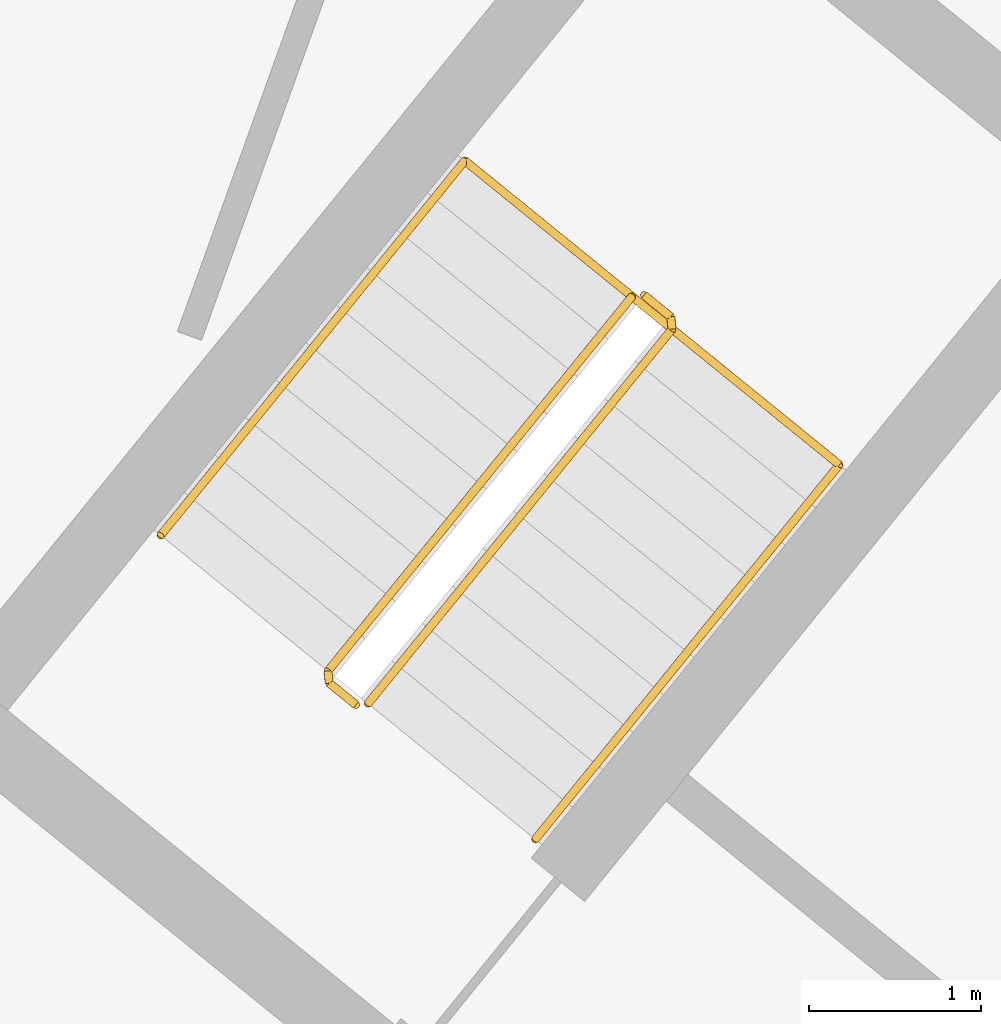
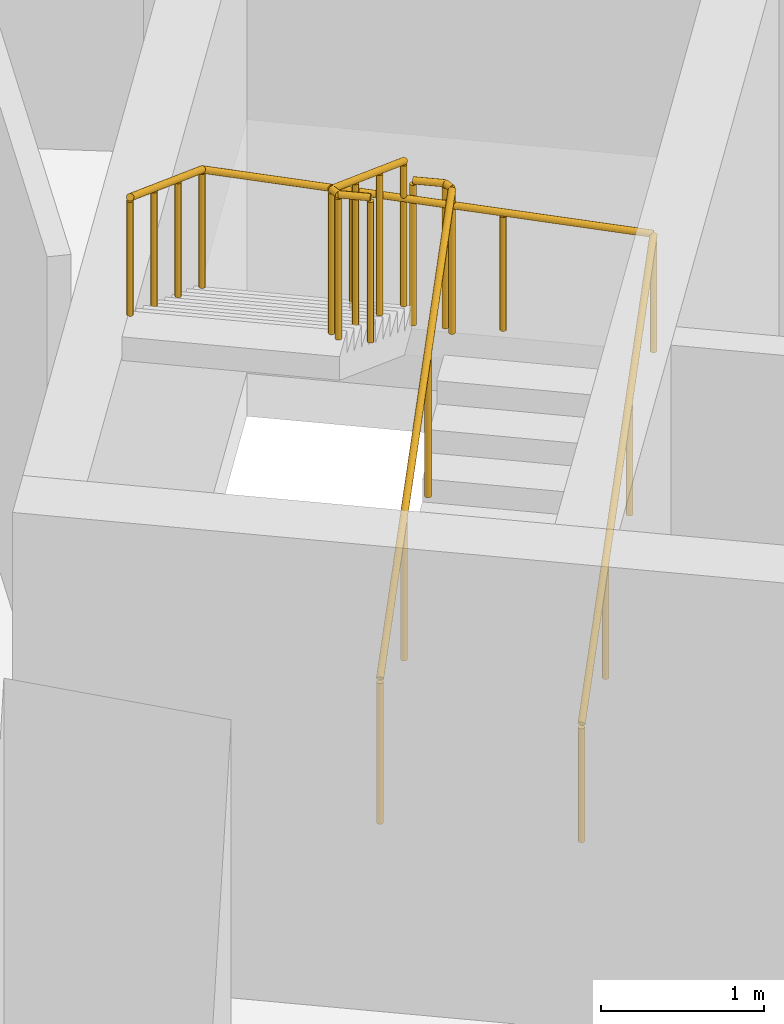
# One storey, part 25 of 25: 3 railings.
"""IFC4 building model written with IfcOpenShell, lengths in metres."""

from ifc_helpers import new_model, si_unit, direction, frame, origin, origin_2d, place, context, subcontext, project, spatial, circle, extrude, material, type_object, element, save


model = new_model("IFC4")

# Units and contexts
model_context = context("Model", 3, precision=1e-05, world=origin(), true_north=direction((0.0, 1.0)))
body_context = subcontext(model_context, "Body", "Model", "MODEL_VIEW")
ifc_project = project(units=[si_unit("LENGTHUNIT", "METRE"), si_unit("AREAUNIT", "SQUARE_METRE"), si_unit("VOLUMEUNIT", "CUBIC_METRE"), si_unit("PLANEANGLEUNIT", "RADIAN"), si_unit("MASSUNIT", "GRAM", prefix="KILO")], contexts=[model_context])

# Site, building, storey
site_placement = place(None, origin())
site = spatial("IfcSite", under=ifc_project, at=site_placement, CompositionType="ELEMENT")
building_placement = place(site_placement, origin())
building = spatial("IfcBuilding", under=site, at=building_placement, Name="Stone Belt Terrace Tower", CompositionType="ELEMENT")
storey_placement = place(building_placement, frame((0.0, 0.0, 52.800048828125)))
storey = spatial("IfcBuildingStorey", under=building, at=storey_placement, Name="L12", CompositionType="ELEMENT", Elevation=52.800048828125)

# Railings
ifc_material = material(Name="Structural steel C345", Category="steel")
railing_type_1 = type_object("IfcRailingType", Name="Stair guard 1100", PredefinedType="GUARDRAIL", material=ifc_material)
railing_1_placement = place(storey_placement, frame((29.39794921875, 38.281982421875, 0.172607421875)))
element("IfcRailing", 1, at=railing_1_placement, inside=storey, type_object=railing_type_1, Name="L12 ST3B stair guard 1", PredefinedType="GUARDRAIL", context=body_context, shape_type="SweptSolid", body=[
    extrude(circle(Radius=0.02392578125, at=origin_2d()), frame((0.0, 0.0, 1.076171875), z_axis=(0.536393061503, 0.660769759217, 0.525038864158), x_axis=(-0.776391310223, 0.630251166924, 0.0)), (0.0, 0.0, 1.0), 3.289794921875),
    extrude(circle(Radius=0.02392578125, at=origin_2d()), frame((1.7646484375, 2.173828125, 2.80322265625), z_axis=(-0.103251414163, 0.994655289773, 0.0), x_axis=(-0.994655289773, -0.103251414163, 0.0)), (0.0, 0.0, 1.0), 0.071044921875),
    extrude(circle(Radius=0.02392578125, at=origin_2d()), frame((1.75732421875, 2.244384765625, 2.80322265625), z_axis=(-0.776561986372, 0.630040856868, 0.0), x_axis=(-0.630040856868, -0.776561986372, 0.0)), (0.0, 0.0, 1.0), 0.199951171875),
    extrude(circle(Radius=0.02099609375, at=origin_2d()), origin(), (0.0, 0.0, 1.0), 1.052001953125),
    extrude(circle(Radius=0.02099609375, at=origin_2d()), frame((0.588134765625, 0.724609375, 0.57568359375)), (0.0, 0.0, 1.0), 1.052001953125),
    extrude(circle(Radius=0.02099609375, at=origin_2d()), frame((1.176513671875, 1.44921875, 1.151611328125)), (0.0, 0.0, 1.0), 1.052001953125),
    extrude(circle(Radius=0.02099609375, at=origin_2d()), frame((1.7646484375, 2.173828125, 1.727294921875)), (0.0, 0.0, 1.0), 1.052001953125),
    extrude(circle(Radius=0.02099609375, at=origin_2d()), frame((1.75732421875, 2.244384765625, 1.727294921875)), (0.0, 0.0, 1.0), 1.052001953125),
    extrude(circle(Radius=0.02099609375, at=origin_2d()), frame((1.60205078125, 2.370361328125, 1.727294921875)), (0.0, 0.0, 1.0), 1.052001953125),
])
railing_2_placement = place(storey_placement, frame((30.9296875, 40.64501953125, 2.07275390625)))
element("IfcRailing", 2, at=railing_2_placement, inside=storey, type_object=railing_type_1, Name="L12 ST3B stair guard 2", PredefinedType="GUARDRAIL", context=body_context, shape_type="SweptSolid", body=[
    extrude(circle(Radius=0.02392578125, at=origin_2d()), frame((0.0, 0.0, 1.076171875), z_axis=(-0.536366759382, -0.660811565066, 0.525013118792), x_axis=(0.776425942316, -0.630208502084, 0.0)), (0.0, 0.0, 1.0), 3.2900390625),
    extrude(circle(Radius=0.02392578125, at=origin_2d()), frame((-1.7646484375, -2.174072265625, 2.80322265625), z_axis=(0.103606084259, -0.994618408891, 0.0), x_axis=(0.994618408891, 0.103606084259, 0.0)), (0.0, 0.0, 1.0), 0.07080078125),
    extrude(circle(Radius=0.02392578125, at=origin_2d()), frame((-1.75732421875, -2.244384765625, 2.80322265625), z_axis=(0.776561986372, -0.630040856868, 0.0), x_axis=(0.630040856868, 0.776561986372, 0.0)), (0.0, 0.0, 1.0), 0.199951171875),
    extrude(circle(Radius=0.02099609375, at=origin_2d()), origin(), (0.0, 0.0, 1.0), 1.052001953125),
    extrude(circle(Radius=0.02099609375, at=origin_2d()), frame((-0.588134765625, -0.724609375, 0.57568359375)), (0.0, 0.0, 1.0), 1.052001953125),
    extrude(circle(Radius=0.02099609375, at=origin_2d()), frame((-1.176513671875, -1.449462890625, 1.151611328125)), (0.0, 0.0, 1.0), 1.052001953125),
    extrude(circle(Radius=0.02099609375, at=origin_2d()), frame((-1.7646484375, -2.174072265625, 1.727294921875)), (0.0, 0.0, 1.0), 1.052001953125),
    extrude(circle(Radius=0.02099609375, at=origin_2d()), frame((-1.75732421875, -2.244384765625, 1.727294921875)), (0.0, 0.0, 1.0), 1.052001953125),
    extrude(circle(Radius=0.02099609375, at=origin_2d()), frame((-1.60205078125, -2.370361328125, 1.727294921875)), (0.0, 0.0, 1.0), 1.052001953125),
])
railing_type_2 = type_object("IfcRailingType", Name="Stair handrail 900", PredefinedType="HANDRAIL", material=ifc_material)
railing_3_placement = place(storey_placement, frame((30.36865234375, 37.494140625, 0.172607421875)))
element("IfcRailing", 3, at=railing_3_placement, inside=storey, type_object=railing_type_2, Name="L12 ST3B stair handrail 1", PredefinedType="HANDRAIL", context=body_context, shape_type="SweptSolid", body=[
    extrude(circle(Radius=0.02392578125, at=origin_2d()), frame((0.0, 0.0, 0.8759765625), z_axis=(0.536366759382, 0.660811565066, 0.525013118792), x_axis=(-0.776425942316, 0.630208502084, 0.0)), (0.0, 0.0, 1.0), 3.2900390625),
    extrude(circle(Radius=0.02392578125, at=origin_2d()), frame((1.7646484375, 2.174072265625, 2.60302734375), z_axis=(-0.774950814199, 0.629011171817, 0.061613158501), x_axis=(-0.630208502084, -0.776425942316, 0.0)), (0.0, 0.0, 1.0), 2.805419921875),
    extrude(circle(Radius=0.02392578125, at=origin_2d()), frame((-0.409423828125, 3.938720703125, 2.77587890625), z_axis=(-0.536366759382, -0.660811565066, 0.525013118792), x_axis=(0.776425942316, -0.630208502084, 0.0)), (0.0, 0.0, 1.0), 3.2900390625),
    extrude(circle(Radius=0.02099609375, at=origin_2d()), origin(), (0.0, 0.0, 1.0), 0.851806640625),
    extrude(circle(Radius=0.02099609375, at=origin_2d()), frame((0.588134765625, 0.724609375, 0.57568359375)), (0.0, 0.0, 1.0), 0.851806640625),
    extrude(circle(Radius=0.02099609375, at=origin_2d()), frame((1.176513671875, 1.449462890625, 1.151611328125)), (0.0, 0.0, 1.0), 0.851806640625),
    extrude(circle(Radius=0.02099609375, at=origin_2d()), frame((1.7646484375, 2.174072265625, 1.727294921875)), (0.0, 0.0, 1.0), 0.851806640625),
    extrude(circle(Radius=0.02099609375, at=origin_2d()), frame((1.0400390625, 2.76220703125, 1.784912109375)), (0.0, 0.0, 1.0), 0.851806640625),
    extrude(circle(Radius=0.02099609375, at=origin_2d()), frame((0.315185546875, 3.3505859375, 1.842529296875)), (0.0, 0.0, 1.0), 0.851806640625),
    extrude(circle(Radius=0.02099609375, at=origin_2d()), frame((-0.409423828125, 3.938720703125, 1.900146484375)), (0.0, 0.0, 1.0), 0.851806640625),
    extrude(circle(Radius=0.02099609375, at=origin_2d()), frame((-0.99755859375, 3.214111328125, 2.475830078125)), (0.0, 0.0, 1.0), 0.851806640625),
    extrude(circle(Radius=0.02099609375, at=origin_2d()), frame((-1.5859375, 2.4892578125, 3.0517578125)), (0.0, 0.0, 1.0), 0.851806640625),
    extrude(circle(Radius=0.02099609375, at=origin_2d()), frame((-2.174072265625, 1.7646484375, 3.62744140625)), (0.0, 0.0, 1.0), 0.851806640625),
])

save(model, "model.ifc")
